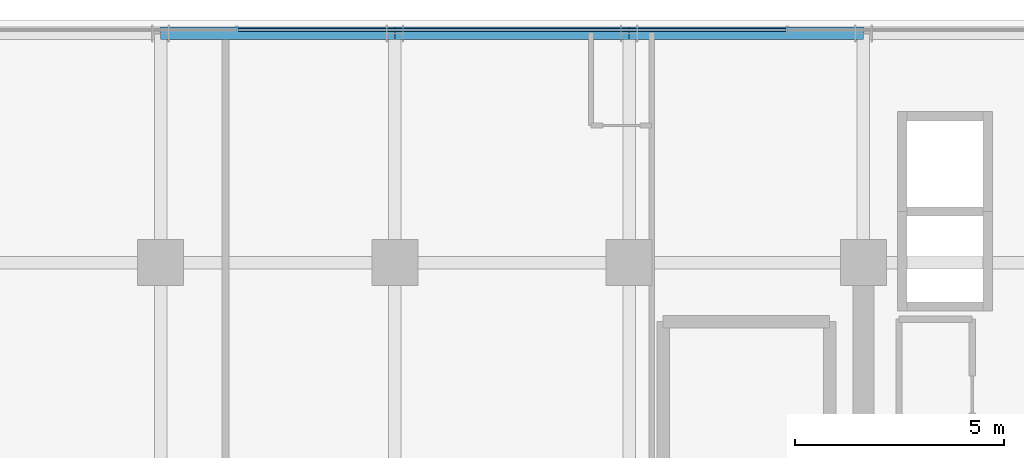
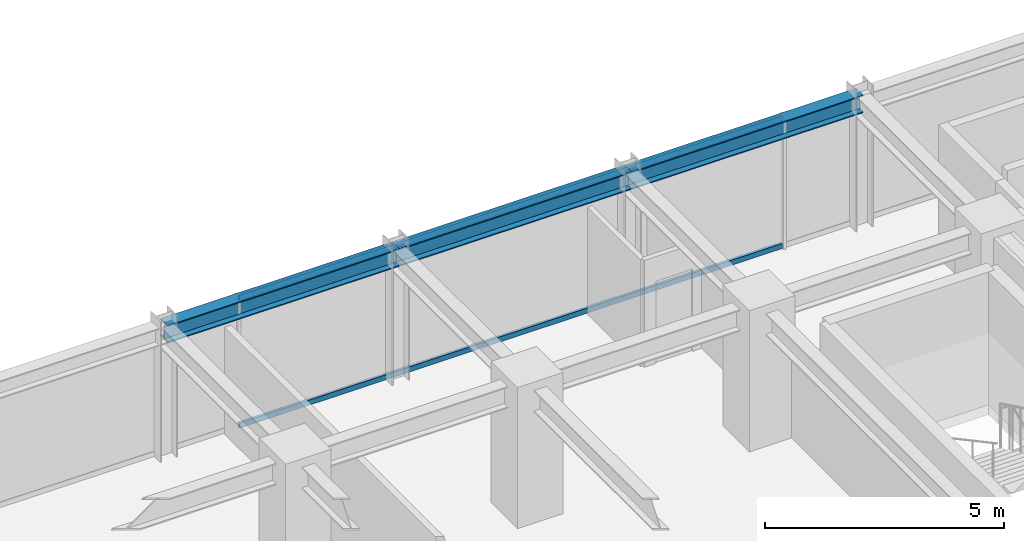
# One storey, part 18 of 31: 3 beams, 2 members, 1 element without a shape of its own.
"""IFC4 building model written with IfcOpenShell, lengths in metres."""

from ifc_helpers import new_model, si_unit, direction, frame, origin, origin_2d, place, context, subcontext, project, spatial, hollow_rectangle, i_section, extrude, source, transform, mapped, material, material_profile, profile_set, type_object, element, aggregate, save


model = new_model("IFC4")

# Units and contexts
model_context = context("Model", 3, precision=1e-05, world=origin(), true_north=direction((0.0, 1.0)))
body_context = subcontext(model_context, "Body", "Model", "MODEL_VIEW")
ifc_project = project(units=[si_unit("LENGTHUNIT", "METRE"), si_unit("AREAUNIT", "SQUARE_METRE"), si_unit("VOLUMEUNIT", "CUBIC_METRE"), si_unit("PLANEANGLEUNIT", "RADIAN"), si_unit("MASSUNIT", "GRAM", prefix="KILO")], contexts=[model_context])

# Site, building, storey
site_placement = place(None, origin())
site = spatial("IfcSite", under=ifc_project, at=site_placement, CompositionType="ELEMENT")
building_placement = place(site_placement, origin())
building = spatial("IfcBuilding", under=site, at=building_placement, Name="Nahalor Promenade Grand Hotel", CompositionType="ELEMENT")
storey_placement = place(building_placement, frame((0.0, 0.0, 192.800048828125)))
storey = spatial("IfcBuildingStorey", under=building, at=storey_placement, Name="L49", CompositionType="ELEMENT", Elevation=192.800048828125)

# Beams
ifc_material_1 = material(Name="Steel S355JR", Category="steel")
ifc_material_profile_1 = material_profile(ifc_material_1, i_section(OverallWidth=0.3, OverallDepth=0.45, WebThickness=0.014, FlangeThickness=0.026, at=origin_2d()), Name="HEB 450")
ifc_profile_set_1 = profile_set([ifc_material_profile_1], Name="Steel S355JR")
beam_type = type_object("IfcBeamType", Name="Beam-Spandrel-HEB450", PredefinedType="SPANDREL", material=ifc_profile_set_1)
shared_shape_1 = source(origin(), body_context, "Body", "SweptSolid", [
    extrude(i_section(OverallWidth=0.3, OverallDepth=0.45, WebThickness=0.014, FlangeThickness=0.026, at=origin_2d()), origin(), (0.0, 0.0, 1.0), 5.599853515625),
])
for number, where, z_axis, x_axis, name in (
    (1, (-8.39990234375, 22.47998046875, 3.1650390625), (1.0, 0.0, 0.0), (0.0, 1.0, 0.0), "BM-L49-SP-N-1"),
    (2, (2.800048828125, 22.47998046875, 3.1650390625), (1.0, 0.0, 0.0), (0.0, 1.0, 0.0), "BM-L49-SP-N-3"),
):
    element("IfcBeam", number, at=place(storey_placement, frame(where, z_axis=z_axis, x_axis=x_axis)), inside=storey, type_object=beam_type, Name=name, PredefinedType="SPANDREL", context=body_context, shape_type="MappedRepresentation", body=[
        mapped(shared_shape_1, transform((0.0, 0.0, 0.0), scale=1.0)),
    ])
shared_shape_2 = source(origin(), body_context, "Body", "SweptSolid", [
    extrude(i_section(OverallWidth=0.3, OverallDepth=0.45, WebThickness=0.014, FlangeThickness=0.026, at=origin_2d()), origin(), (0.0, 0.0, 1.0), 5.60009765625),
])
beam_placement = place(storey_placement, frame((-2.800048828125, 22.47998046875, 3.1650390625), z_axis=(1.0, 0.0, 0.0), x_axis=(0.0, 1.0, 0.0)))
element("IfcBeam", 3, at=beam_placement, inside=storey, type_object=beam_type, Name="BM-L49-SP-N-2", PredefinedType="SPANDREL", context=body_context, shape_type="MappedRepresentation", body=[
    mapped(shared_shape_2, transform((0.0, 0.0, 0.0), scale=1.0)),
])

# Curtain wall, members
ifc_material_2 = material(Name="Anodised Bronze Aluminium EN AW-6063 T6", Category="aluminium")
curtain_wall_type = type_object("IfcCurtainWallType", Name="CW2 Typical Hotel Flush Bronze Unitised Curtain Wall", PredefinedType="USERDEFINED", material=ifc_material_2)
curtain_wall_placement = place(storey_placement, origin())
curtain_wall = element("IfcCurtainWall", 4, at=curtain_wall_placement, inside=storey, type_object=curtain_wall_type, Name="L49 Curtain Wall CW-L49-N-1", ObjectType="UNITISED_CURTAIN_WALL", PredefinedType="USERDEFINED")
ifc_material_profile_2 = material_profile(ifc_material_2, hollow_rectangle(XDim=0.065, YDim=0.13, WallThickness=0.004, at=origin_2d()), Name="CWT 65x130x4")
ifc_profile_set_2 = profile_set([ifc_material_profile_2], Name="Anodised Bronze Aluminium EN AW-6063 T6")
member_type = type_object("IfcMemberType", Name="CWT2 Typical Bronze Transom 65x130", PredefinedType="USERDEFINED", material=ifc_profile_set_2)
shared_shape_3 = source(origin(), body_context, "Body", "SweptSolid", [
    extrude(hollow_rectangle(XDim=0.065, YDim=0.13, WallThickness=0.004, at=origin_2d()), origin(), (0.0, 0.0, 1.0), 13.1083984375),
])
member_1_placement = place(storey_placement, frame((-6.55419921875, 22.56005859375, 0.06494140625), z_axis=(1.0, 0.0, 0.0), x_axis=(0.0, 1.0, 0.0)))
member_1 = element("IfcMember", 5, at=member_1_placement, type_object=member_type, Name="CW-L49-N-1 Transom 1-0", ObjectType="TRANSOM", PredefinedType="USERDEFINED", context=body_context, shape_type="MappedRepresentation", body=[
    mapped(shared_shape_3, transform((0.0, 0.0, 0.0), scale=1.0)),
])
member_2_placement = place(storey_placement, frame((-6.55419921875, 22.56005859375, 3.324951171875), z_axis=(1.0, 0.0, 0.0), x_axis=(0.0, 1.0, 0.0)))
member_2 = element("IfcMember", 6, at=member_2_placement, type_object=member_type, Name="CW-L49-N-1 Transom 1-1", ObjectType="TRANSOM", PredefinedType="USERDEFINED", context=body_context, shape_type="MappedRepresentation", body=[
    mapped(shared_shape_3, transform((0.0, 0.0, 0.0), scale=1.0)),
])
aggregate(curtain_wall, [member_1, member_2])

save(model, "model.ifc")
